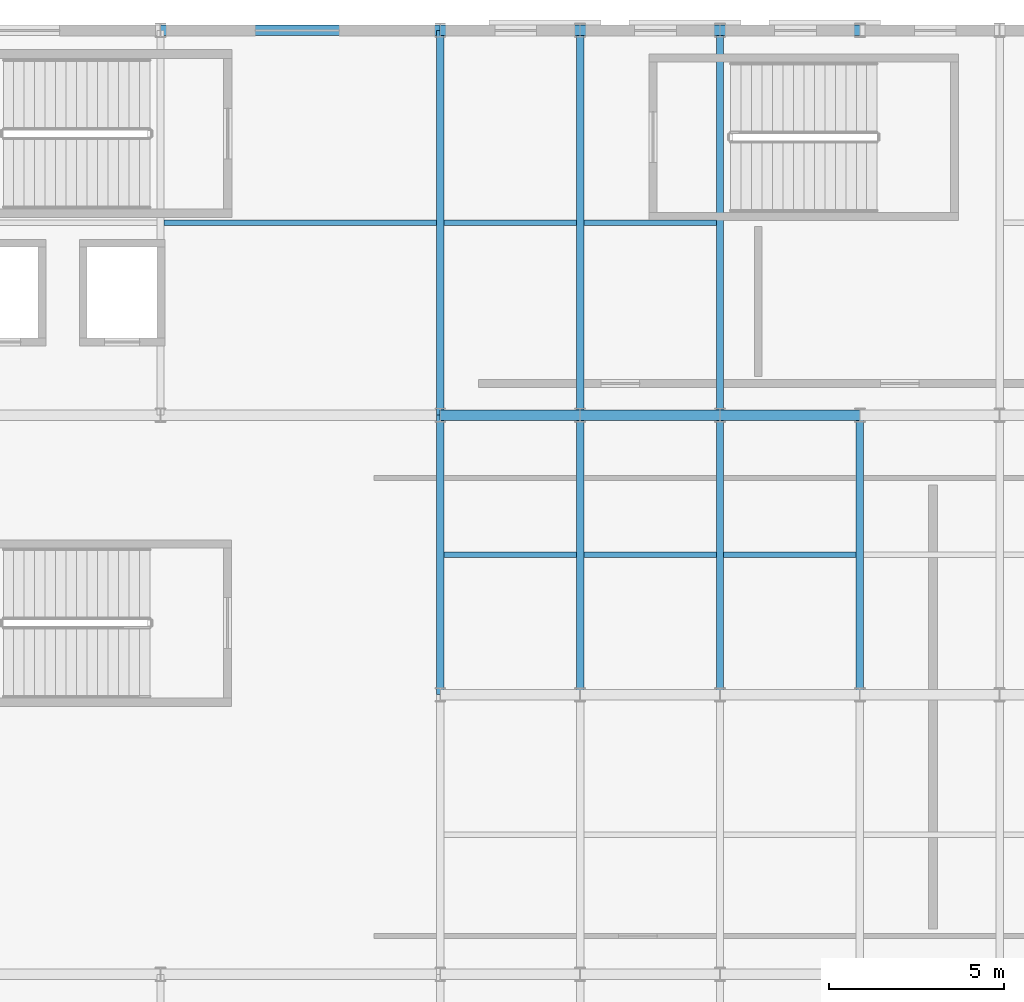
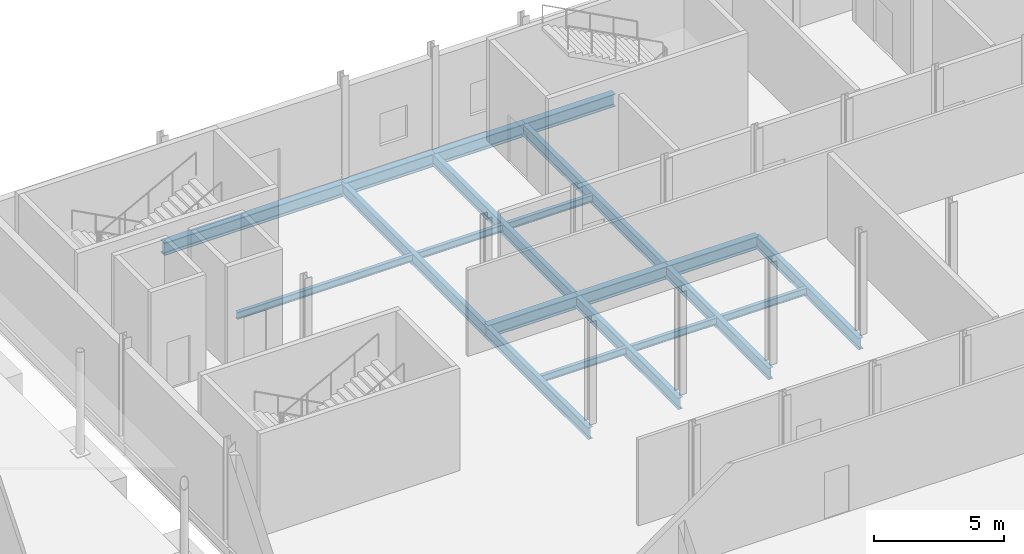
# One storey, part 56 of 101: 20 beams.
"""IFC4 building model written with IfcOpenShell, lengths in metres."""

import ifcopenshell
import ifcopenshell.guid

model = None  # the IFC model being written
_history = None  # IfcOwnerHistory: only IFC2X3 demands one
_inside = {}  # id of a spatial element -> (the spatial element, [elements in it])
_under = {}  # id of a project, library or spatial element -> (it, [spatial elements below it])
_declared = {}  # id of a project -> (the project, [libraries it declares])
_typed = {}  # id of a type object -> (the type object, [elements of that type])
_made_of = {}  # id of a material, layer set ... -> (it, [elements and type objects made of it])


def new_model(schema):
    """Start an empty IFC model of exactly this schema.

    Asked for "IFC4X3", IfcOpenShell would pick the latest addendum, in which some entities
    have other attributes; the version numbers below select the first issue.
    IFC2X3 requires an IfcOwnerHistory on every rooted entity: one is made here for all.
    """
    global model, _history
    if schema == "IFC4X3":
        model = ifcopenshell.file(schema_version=(4, 3, 0, 0))
    else:
        model = ifcopenshell.file(schema=schema)
    _inside.clear()
    _under.clear()
    _declared.clear()
    _typed.clear()
    _made_of.clear()
    _history = None
    if model.schema == "IFC2X3":
        org = make("IfcOrganization", Name="unknown")
        user = make(
            "IfcPersonAndOrganization",
            ThePerson=make("IfcPerson", FamilyName="unknown"),
            TheOrganization=org,
        )
        app = make(
            "IfcApplication",
            ApplicationDeveloper=org,
            Version="unknown",
            ApplicationFullName="unknown",
            ApplicationIdentifier="unknown",
        )
        _history = make(
            "IfcOwnerHistory",
            OwningUser=user,
            OwningApplication=app,
            ChangeAction="ADDED",
            CreationDate=0,
        )
    return model


def make(cls, **values):
    """One entity of the class cls with the attributes given. An attribute that is None is left unset."""
    return model.create_entity(
        cls, **{name: value for name, value in values.items() if value is not None}
    )


def rooted(cls, **values):
    """An entity with a GlobalId (a new one), such as an element, a storey or a relation."""
    return make(cls, GlobalId=ifcopenshell.guid.new(), OwnerHistory=_history, **values)


def si_unit(unit_type, name, prefix=None):
    """IfcSIUnit, for example si_unit("LENGTHUNIT", "METRE", prefix="MILLI")."""
    return make("IfcSIUnit", UnitType=unit_type, Prefix=prefix, Name=name)


def derived_unit(unit_type, elements):
    """IfcDerivedUnit: a product of units, each with its exponent."""
    return make(
        "IfcDerivedUnit",
        Elements=[
            make("IfcDerivedUnitElement", Unit=unit, Exponent=power)
            for unit, power in elements
        ],
        UnitType=unit_type,
    )


def assignment(units):
    """IfcUnitAssignment: the units of a project."""
    return None if units is None else make("IfcUnitAssignment", Units=units)


def point(xyz):
    """IfcCartesianPoint."""
    return None if xyz is None else make("IfcCartesianPoint", Coordinates=xyz)


def direction(xyz):
    """IfcDirection."""
    return None if xyz is None else make("IfcDirection", DirectionRatios=xyz)


def frame(location, z_axis=None, x_axis=None):
    """IfcAxis2Placement3D, a coordinate frame: its origin and axes. An axis left out is left unset."""
    return make(
        "IfcAxis2Placement3D",
        Location=point(location),
        Axis=direction(z_axis),
        RefDirection=direction(x_axis),
    )


def frame_2d(location, x_axis=None):
    """IfcAxis2Placement2D, a coordinate frame in the plane: its origin and x axis."""
    return make(
        "IfcAxis2Placement2D", Location=point(location), RefDirection=direction(x_axis)
    )


def origin():
    """The frame at (0, 0, 0) with its axes left unset."""
    return frame((0.0, 0.0, 0.0))


def origin_2d():
    """The frame at (0, 0) in the plane with its x axis left unset."""
    return frame_2d((0.0, 0.0))


def place(relative_to, where):
    """IfcLocalPlacement: puts the frame where relative to a parent placement (None: the world)."""
    return make(
        "IfcLocalPlacement", PlacementRelTo=relative_to, RelativePlacement=where
    )


def context(
    kind, dimensions, precision=None, world=None, true_north=None, identifier=None
):
    """IfcGeometricRepresentationContext, for example the 3D "Model" context."""
    return make(
        "IfcGeometricRepresentationContext",
        ContextIdentifier=identifier,
        ContextType=kind,
        CoordinateSpaceDimension=dimensions,
        Precision=precision,
        WorldCoordinateSystem=world,
        TrueNorth=true_north,
    )


def subcontext(parent, identifier, kind, view, scale=None):
    """IfcGeometricRepresentationSubContext, for example "Body" below "Model"."""
    return make(
        "IfcGeometricRepresentationSubContext",
        ContextIdentifier=identifier,
        ContextType=kind,
        ParentContext=parent,
        TargetScale=scale,
        TargetView=view,
    )


def project(units=None, contexts=None):
    """IfcProject with its units and contexts."""
    return rooted(
        "IfcProject",
        Name="project",
        RepresentationContexts=contexts,
        UnitsInContext=assignment(units),
    )


def spatial(cls, under=None, at=None, **own):
    """A site, building, storey or space (cls), placed at a placement, below another one or the project."""
    s = rooted(cls, ObjectPlacement=at, **own)
    if under is not None:
        _under.setdefault(under.id(), (under, []))[1].append(s)
    return s


def profile(cls, at=None, kind="AREA", **sizes):
    """A parametric profile (cls). Its sizes go by their IFC names, for example OverallWidth=200.0."""
    return make(cls, ProfileType=kind, Position=at, **sizes)


def i_section(**sizes):
    """IfcIShapeProfileDef."""
    return profile("IfcIShapeProfileDef", **sizes)


def extrude(swept, where, along, depth):
    """IfcExtrudedAreaSolid: the profile swept, set in the frame where, extruded along a direction by depth."""
    return make(
        "IfcExtrudedAreaSolid",
        SweptArea=swept,
        Position=where,
        ExtrudedDirection=direction(along),
        Depth=depth,
    )


def shape(context_of_items, identifier, shape_type, items):
    """IfcShapeRepresentation: the items that make up one representation, for example the "Body"."""
    return make(
        "IfcShapeRepresentation",
        ContextOfItems=context_of_items,
        RepresentationIdentifier=identifier,
        RepresentationType=shape_type,
        Items=items,
    )


def material(Name=None, Category=None):
    """IfcMaterial."""
    return make("IfcMaterial", Name=Name, Category=Category)


def material_profile(
    of_material, cross_section, Name=None, Category=None, Priority=None
):
    """IfcMaterialProfile: a cross section and its material."""
    return make(
        "IfcMaterialProfile",
        Name=Name,
        Material=of_material,
        Profile=cross_section,
        Priority=Priority,
        Category=Category,
    )


def profile_set(profiles, Name=None, composite=None):
    """IfcMaterialProfileSet."""
    return make(
        "IfcMaterialProfileSet",
        Name=Name,
        MaterialProfiles=profiles,
        CompositeProfile=composite,
    )


def made_of(thing, what):
    """Note that an element or type object is made of a material, layer set ...; save() writes the relation."""
    if what is not None:
        _made_of.setdefault(what.id(), (what, []))[1].append(thing)
    return thing


def type_object(cls, material=None, **own):
    """A type object (cls), such as IfcWallType, which elements share."""
    return made_of(rooted(cls, **own), material)


def element(
    cls,
    number,
    at=None,
    inside=None,
    cuts=None,
    type_object=None,
    material=None,
    context=None,
    identifier="Body",
    shape_type=None,
    held_by="IfcProductDefinitionShape",
    body=None,
    shapes=None,
    **own,
):
    """One element of the class cls, such as IfcWall. Its Tag is "e" and its number.

    at: its placement. inside: the storey or other place that contains it. cuts: it is an
    opening in that element (IfcRelVoidsElement). A single representation is given by context,
    identifier, shape_type and body (its items); several are given by shapes. held_by: the class
    of the entity that holds the representations. save() writes the other relations.
    """
    e = rooted(cls, Tag="e%d" % number, ObjectPlacement=at, **own)
    if body is not None:
        shapes = [shape(context, identifier, shape_type, body)]
    if shapes is not None:
        e.Representation = make(held_by, Representations=shapes)
    if inside is not None:
        _inside.setdefault(inside.id(), (inside, []))[1].append(e)
    if cuts is not None:
        rooted(
            "IfcRelVoidsElement", RelatingBuildingElement=cuts, RelatedOpeningElement=e
        )
    if type_object is not None:
        _typed.setdefault(type_object.id(), (type_object, []))[1].append(e)
    return made_of(e, material)


def aggregate(whole, parts):
    """IfcRelAggregates: a whole, such as a stair, and the parts it consists of."""
    return rooted("IfcRelAggregates", RelatingObject=whole, RelatedObjects=parts)


def save(model, path):
    """Write the relations noted so far, then the file.

    IfcRelAggregates (storeys below a building ...), IfcRelContainedInSpatialStructure (elements
    in a storey), IfcRelDefinesByType, IfcRelAssociatesMaterial and IfcRelDeclares: one each for
    every whole, place, type object, material and project.
    """
    for whole, parts in _under.values():
        aggregate(whole, parts)
    for where, things in _inside.values():
        rooted(
            "IfcRelContainedInSpatialStructure",
            RelatedElements=things,
            RelatingStructure=where,
        )
    for kind, things in _typed.values():
        rooted("IfcRelDefinesByType", RelatedObjects=things, RelatingType=kind)
    for what, things in _made_of.values():
        rooted("IfcRelAssociatesMaterial", RelatedObjects=things, RelatingMaterial=what)
    for by, libraries in _declared.values():
        rooted("IfcRelDeclares", RelatingContext=by, RelatedDefinitions=libraries)
    model.write(path)


model = new_model("IFC4")

# Units and contexts
model_context = context("Model", 3, precision=1e-05, world=origin(), true_north=direction((0.0, 1.0)))
body_context = subcontext(model_context, "Body", "Model", "MODEL_VIEW")
ifc_project = project(units=[si_unit("LENGTHUNIT", "METRE"), si_unit("AREAUNIT", "SQUARE_METRE"), si_unit("VOLUMEUNIT", "CUBIC_METRE"), si_unit("PLANEANGLEUNIT", "RADIAN"), si_unit("MASSUNIT", "GRAM", prefix="KILO"), derived_unit("THERMALTRANSMITTANCEUNIT", [(si_unit("POWERUNIT", "WATT"), 1), (si_unit("LENGTHUNIT", "METRE"), -2), (si_unit("THERMODYNAMICTEMPERATUREUNIT", "KELVIN"), -1)])], contexts=[model_context])

# Site, building, storey
site_placement = place(None, origin())
site = spatial("IfcSite", under=ifc_project, at=site_placement, CompositionType="ELEMENT")
building_placement = place(site_placement, origin())
building = spatial("IfcBuilding", under=site, at=building_placement, Name="Keldorne Ridge Multi-Sports Centre", CompositionType="ELEMENT")
storey_placement = place(building_placement, origin())
storey = spatial("IfcBuildingStorey", under=building, at=storey_placement, Name="L00", CompositionType="ELEMENT", Elevation=0.0)

# Beams
ifc_material = material(Name="Steel S355", Category="steel")
ifc_material_profile_1 = material_profile(ifc_material, i_section(OverallWidth=0.2099609375, OverallDepth=0.550048828125, WebThickness=0.010986328125, FlangeThickness=0.01708984375, FilletRadius=0.02392578125, at=origin_2d()), Name="IPE 550")
ifc_profile_set_1 = profile_set([ifc_material_profile_1], Name="Steel S355")
beam_type_1 = type_object("IfcBeamType", Name="BM-B-01", PredefinedType="BEAM", material=ifc_profile_set_1)
beam_1_placement = place(storey_placement, frame((120.0, 98.0, -0.544921875), z_axis=(0.0, 1.0, 0.0), x_axis=(-1.0, 0.0, 0.0)))
element("IfcBeam", 1, at=beam_1_placement, inside=storey, type_object=beam_type_1, Name="L00 primary girder 120.5", PredefinedType="BEAM", context=body_context, shape_type="SweptSolid", body=[
    extrude(i_section(OverallWidth=0.2099609375, OverallDepth=0.550048828125, WebThickness=0.010986328125, FlangeThickness=0.01708984375, FilletRadius=0.02392578125, at=origin_2d()), origin(), (0.0, 0.0, 1.0), 8.0),
])
beam_2_placement = place(storey_placement, frame((120.0, 106.0, -0.544921875), z_axis=(0.0, 1.0, 0.0), x_axis=(-1.0, 0.0, 0.0)))
element("IfcBeam", 2, at=beam_2_placement, inside=storey, type_object=beam_type_1, Name="L00 primary girder 120.6", PredefinedType="BEAM", context=body_context, shape_type="SweptSolid", body=[
    extrude(i_section(OverallWidth=0.2099609375, OverallDepth=0.550048828125, WebThickness=0.010986328125, FlangeThickness=0.01708984375, FilletRadius=0.02392578125, at=origin_2d()), origin(), (0.0, 0.0, 1.0), 11.0),
])
beam_3_placement = place(storey_placement, frame((124.0, 98.0, -0.544921875), z_axis=(0.0, 1.0, 0.0), x_axis=(-1.0, 0.0, 0.0)))
element("IfcBeam", 3, at=beam_3_placement, inside=storey, type_object=beam_type_1, Name="L00 primary girder 124.5", PredefinedType="BEAM", context=body_context, shape_type="SweptSolid", body=[
    extrude(i_section(OverallWidth=0.2099609375, OverallDepth=0.550048828125, WebThickness=0.010986328125, FlangeThickness=0.01708984375, FilletRadius=0.02392578125, at=origin_2d()), origin(), (0.0, 0.0, 1.0), 8.0),
])
beam_4_placement = place(storey_placement, frame((124.0, 106.0, -0.544921875), z_axis=(0.0, 1.0, 0.0), x_axis=(-1.0, 0.0, 0.0)))
element("IfcBeam", 4, at=beam_4_placement, inside=storey, type_object=beam_type_1, Name="L00 primary girder 124.6", PredefinedType="BEAM", context=body_context, shape_type="SweptSolid", body=[
    extrude(i_section(OverallWidth=0.2099609375, OverallDepth=0.550048828125, WebThickness=0.010986328125, FlangeThickness=0.01708984375, FilletRadius=0.02392578125, at=origin_2d()), origin(), (0.0, 0.0, 1.0), 11.0),
])
beam_5_placement = place(storey_placement, frame((128.0, 98.0, -0.544921875), z_axis=(0.0, 1.0, 0.0), x_axis=(-1.0, 0.0, 0.0)))
element("IfcBeam", 5, at=beam_5_placement, inside=storey, type_object=beam_type_1, Name="L00 primary girder 128.5", PredefinedType="BEAM", context=body_context, shape_type="SweptSolid", body=[
    extrude(i_section(OverallWidth=0.2099609375, OverallDepth=0.550048828125, WebThickness=0.010986328125, FlangeThickness=0.01708984375, FilletRadius=0.02392578125, at=origin_2d()), origin(), (0.0, 0.0, 1.0), 8.0),
])
beam_6_placement = place(storey_placement, frame((128.0, 106.0, -0.544921875), z_axis=(0.0, 1.0, 0.0), x_axis=(-1.0, 0.0, 0.0)))
element("IfcBeam", 6, at=beam_6_placement, inside=storey, type_object=beam_type_1, Name="L00 primary girder 128.6", PredefinedType="BEAM", context=body_context, shape_type="SweptSolid", body=[
    extrude(i_section(OverallWidth=0.2099609375, OverallDepth=0.550048828125, WebThickness=0.010986328125, FlangeThickness=0.01708984375, FilletRadius=0.02392578125, at=origin_2d()), origin(), (0.0, 0.0, 1.0), 11.0),
])
beam_7_placement = place(storey_placement, frame((132.0, 98.0, -0.544921875), z_axis=(0.0, 1.0, 0.0), x_axis=(-1.0, 0.0, 0.0)))
element("IfcBeam", 7, at=beam_7_placement, inside=storey, type_object=beam_type_1, Name="L00 primary girder 132.5", PredefinedType="BEAM", context=body_context, shape_type="SweptSolid", body=[
    extrude(i_section(OverallWidth=0.2099609375, OverallDepth=0.550048828125, WebThickness=0.010986328125, FlangeThickness=0.01708984375, FilletRadius=0.02392578125, at=origin_2d()), origin(), (0.0, 0.0, 1.0), 8.0),
])
ifc_material_profile_2 = material_profile(ifc_material, i_section(OverallWidth=0.300048828125, OverallDepth=0.590087890625, WebThickness=0.012939453125, FlangeThickness=0.02490234375, FilletRadius=0.027099609375, at=origin_2d()), Name="HEA 600")
ifc_profile_set_2 = profile_set([ifc_material_profile_2], Name="Steel S355")
beam_type_2 = type_object("IfcBeamType", Name="BM-B-06", PredefinedType="BEAM", material=ifc_profile_set_2)
for number, where, z_axis, x_axis, name in (
    (8, (120.0, 106.0, -0.56494140625), (1.0, 0.0, 0.0), (0.0, 1.0, 0.0), "L00 primary beam 3.106"),
    (9, (124.0, 106.0, -0.56494140625), (1.0, 0.0, 0.0), (0.0, 1.0, 0.0), "L00 primary beam 4.106"),
    (10, (128.0, 106.0, -0.56494140625), (1.0, 0.0, 0.0), (0.0, 1.0, 0.0), "L00 primary beam 5.106"),
):
    element("IfcBeam", number, at=place(storey_placement, frame(where, z_axis=z_axis, x_axis=x_axis)), inside=storey, type_object=beam_type_2, Name=name, PredefinedType="BEAM", context=body_context, shape_type="SweptSolid", body=[
        extrude(i_section(OverallWidth=0.300048828125, OverallDepth=0.590087890625, WebThickness=0.012939453125, FlangeThickness=0.02490234375, FilletRadius=0.027099609375, at=origin_2d()), origin(), (0.0, 0.0, 1.0), 4.0),
    ])
beam_8_placement = place(storey_placement, frame((112.0, 117.0, -0.56494140625), z_axis=(1.0, 0.0, 0.0), x_axis=(0.0, 1.0, 0.0)))
element("IfcBeam", 11, at=beam_8_placement, inside=storey, type_object=beam_type_2, Name="L00 primary beam 2.117", PredefinedType="BEAM", context=body_context, shape_type="SweptSolid", body=[
    extrude(i_section(OverallWidth=0.300048828125, OverallDepth=0.590087890625, WebThickness=0.012939453125, FlangeThickness=0.02490234375, FilletRadius=0.027099609375, at=origin_2d()), origin(), (0.0, 0.0, 1.0), 8.0),
])
for number, where, z_axis, x_axis, name in (
    (12, (120.0, 117.0, -0.56494140625), (1.0, 0.0, 0.0), (0.0, 1.0, 0.0), "L00 primary beam 3.117"),
    (13, (124.0, 117.0, -0.56494140625), (1.0, 0.0, 0.0), (0.0, 1.0, 0.0), "L00 primary beam 4.117"),
    (14, (128.0, 117.0, -0.56494140625), (1.0, 0.0, 0.0), (0.0, 1.0, 0.0), "L00 primary beam 5.117"),
):
    element("IfcBeam", number, at=place(storey_placement, frame(where, z_axis=z_axis, x_axis=x_axis)), inside=storey, type_object=beam_type_2, Name=name, PredefinedType="BEAM", context=body_context, shape_type="SweptSolid", body=[
        extrude(i_section(OverallWidth=0.300048828125, OverallDepth=0.590087890625, WebThickness=0.012939453125, FlangeThickness=0.02490234375, FilletRadius=0.027099609375, at=origin_2d()), origin(), (0.0, 0.0, 1.0), 4.0),
    ])
ifc_material_profile_3 = material_profile(ifc_material, i_section(OverallWidth=0.159912109375, OverallDepth=0.330078125, WebThickness=0.007568359375, FlangeThickness=0.011474609375, FilletRadius=0.01806640625, at=origin_2d()), Name="IPE 330")
ifc_profile_set_3 = profile_set([ifc_material_profile_3], Name="Steel S355")
beam_type_3 = type_object("IfcBeamType", Name="BM-J-01", PredefinedType="JOIST", material=ifc_profile_set_3)
beam_9_placement = place(storey_placement, frame((112.10498046875, 111.5, -0.43505859375), z_axis=(1.0, 0.0, 0.0), x_axis=(0.0, 1.0, 0.0)))
element("IfcBeam", 15, at=beam_9_placement, inside=storey, type_object=beam_type_3, Name="L00 secondary joist 2.6", PredefinedType="JOIST", context=body_context, shape_type="SweptSolid", body=[
    extrude(i_section(OverallWidth=0.159912109375, OverallDepth=0.330078125, WebThickness=0.007568359375, FlangeThickness=0.011474609375, FilletRadius=0.01806640625, at=origin_2d()), origin(), (0.0, 0.0, 1.0), 7.7900390625),
])
for number, where, z_axis, x_axis, name in (
    (16, (120.10498046875, 102.0, -0.43505859375), (1.0, 0.0, 0.0), (0.0, 1.0, 0.0), "L00 secondary joist 3.5"),
    (17, (120.10498046875, 111.5, -0.43505859375), (1.0, 0.0, 0.0), (0.0, 1.0, 0.0), "L00 secondary joist 3.6"),
    (18, (124.10498046875, 102.0, -0.43505859375), (1.0, 0.0, 0.0), (0.0, 1.0, 0.0), "L00 secondary joist 4.5"),
    (19, (124.10498046875, 111.5, -0.43505859375), (1.0, 0.0, 0.0), (0.0, 1.0, 0.0), "L00 secondary joist 4.6"),
    (20, (128.10498046875, 102.0, -0.43505859375), (1.0, 0.0, 0.0), (0.0, 1.0, 0.0), "L00 secondary joist 5.5"),
):
    element("IfcBeam", number, at=place(storey_placement, frame(where, z_axis=z_axis, x_axis=x_axis)), inside=storey, type_object=beam_type_3, Name=name, PredefinedType="JOIST", context=body_context, shape_type="SweptSolid", body=[
        extrude(i_section(OverallWidth=0.159912109375, OverallDepth=0.330078125, WebThickness=0.007568359375, FlangeThickness=0.011474609375, FilletRadius=0.01806640625, at=origin_2d()), origin(), (0.0, 0.0, 1.0), 3.7900390625),
    ])

save(model, "model.ifc")
